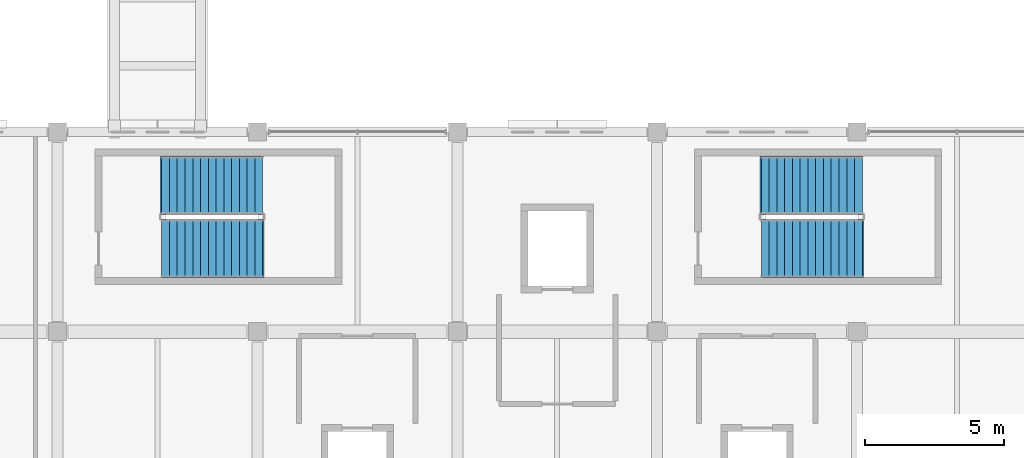
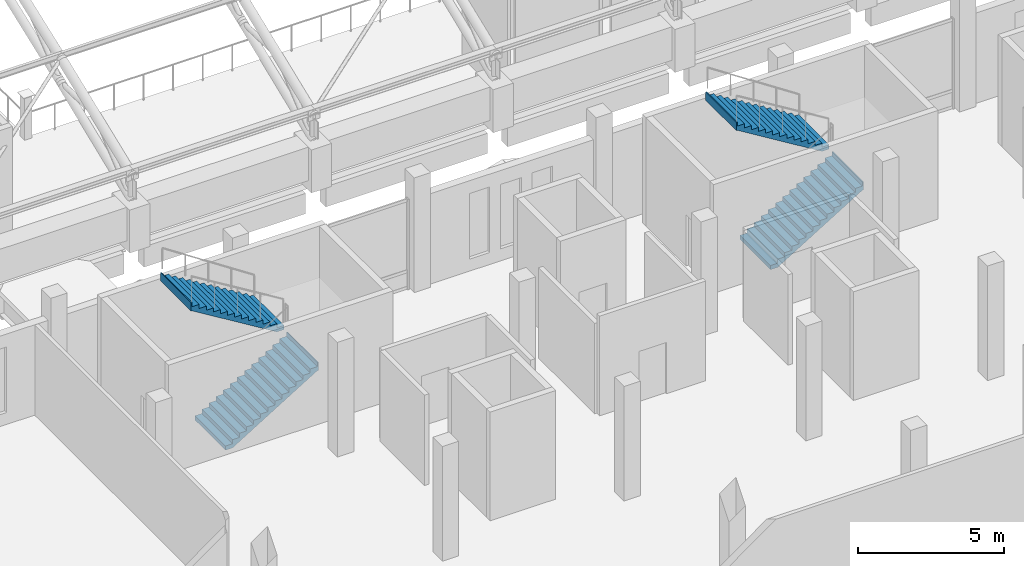
# One storey, part 101 of 116: 4 stair flights, 2 elements without a shape of their own.
"""IFC4 building model written with IfcOpenShell, lengths in metres."""

from ifc_helpers import new_model, si_unit, direction, frame, origin, place, context, subcontext, project, spatial, triangles, material, type_object, element, aggregate, save


model = new_model("IFC4")

# Units and contexts
model_context = context("Model", 3, precision=1e-05, world=origin(), true_north=direction((0.0, 1.0)))
body_context = subcontext(model_context, "Body", "Model", "MODEL_VIEW")
ifc_project = project(units=[si_unit("LENGTHUNIT", "METRE"), si_unit("AREAUNIT", "SQUARE_METRE"), si_unit("VOLUMEUNIT", "CUBIC_METRE"), si_unit("PLANEANGLEUNIT", "RADIAN"), si_unit("MASSUNIT", "GRAM", prefix="KILO")], contexts=[model_context])

# Site, building, storey
site_placement = place(None, origin())
site = spatial("IfcSite", under=ifc_project, at=site_placement, CompositionType="ELEMENT")
building_placement = place(site_placement, origin())
building = spatial("IfcBuilding", under=site, at=building_placement, Name="Cendralis Lancet Convention Centre", CompositionType="ELEMENT")
storey_placement = place(building_placement, frame((0.0, 0.0, 15.0)))
storey = spatial("IfcBuildingStorey", under=building, at=storey_placement, Name="L03", CompositionType="ELEMENT", Elevation=15.0)

# Stair, stair flights
ifc_material = material(Name="Concrete G35 (C35/45)", Category="concrete")
stair_type = type_object("IfcStairType", Name="ARC-ST-CORE", PredefinedType="HALF_TURN_STAIR", material=ifc_material)
stair_1_placement = place(storey_placement, origin())
stair_1 = element("IfcStair", 1, at=stair_1_placement, inside=storey, type_object=stair_type, Name="L03 Protected Exit Stair ST-13", PredefinedType="HALF_TURN_STAIR")
stair_flight_type = type_object("IfcStairFlightType", Name="ARC-SF-CORE", PredefinedType="STRAIGHT", material=ifc_material)
stair_flight_1_placement = place(storey_placement, frame((150.14990234375, 31.800048828125, 0.0), z_axis=(0.0, 0.0, 1.0), x_axis=(1.0, 0.0, 0.0)))
stair_flight_1 = element("IfcStairFlight", 2, at=stair_flight_1_placement, type_object=stair_flight_type, Name="ST-13 flight 1", NumberOfRisers=14, NumberOfTreads=13, PredefinedType="STRAIGHT", RiserHeight=0.171428571, TreadLength=0.28, context=body_context, shape_type="Tessellation", body=[
    triangles([(0.0, 0.0, 0.085714), (0.0, 1.050049, 0.0), (0.0, -1.050049, 0.0), (0.0, -1.050049, 0.171429), (0.0, 1.050049, 0.171429), (0.14, 0.0, 0.171429), (0.28, -1.050049, 0.171429), (0.28, 1.050049, 0.171429), (0.14, 0.0, 0.0), (0.28, -1.050049, 0.0), (0.28, 1.050049, 0.0), (0.28, 0.0, 0.257143), (0.28, -1.050049, 0.342857), (0.28, 1.050049, 0.342857), (0.283543, 0.0, 0.342857), (0.287085, -1.050049, 0.342857), (0.287085, 1.050049, 0.342857), (0.283543, 0.0, 0.0), (0.287085, -1.050049, 0.0), (0.287085, 1.050049, 0.0), (0.423543, 0.0, 0.342857), (0.56, -1.050049, 0.342857), (0.56, 1.050049, 0.342857), (0.423543, 0.0, 0.083545), (0.56, -1.050049, 0.167091), (0.56, 1.050049, 0.167091), (0.56, 0.0, 0.428572), (0.56, -1.050049, 0.514286), (0.56, 1.050049, 0.514286), (0.7, 0.0, 0.514286), (0.84, -1.050049, 0.514286), (0.84, 1.050049, 0.514286), (0.7, 0.0, 0.252806), (0.84, -1.050049, 0.33852), (0.84, 1.050049, 0.33852), (0.84, 0.0, 0.6), (0.84, -1.050049, 0.685714), (0.84, 1.050049, 0.685714), (0.98, 0.0, 0.685714), (1.12, -1.050049, 0.685714), (1.12, 1.050049, 0.685714), (0.98, 0.0, 0.424234), (1.12, -1.050049, 0.509948), (1.12, 1.050049, 0.509948), (1.12, 0.0, 0.771429), (1.12, -1.050049, 0.857143), (1.12, 1.050049, 0.857143), (1.26, 0.0, 0.857143), (1.4, -1.050049, 0.857143), (1.4, 1.050049, 0.857143), (1.26, 0.0, 0.595662), (1.4, -1.050049, 0.681377), (1.4, 1.050049, 0.681377), (1.4, 0.0, 0.942857), (1.4, -1.050049, 1.028571), (1.4, 1.050049, 1.028571), (1.54, 0.0, 1.028571), (1.68, -1.050049, 1.028571), (1.68, 1.050049, 1.028571), (1.54, 0.0, 0.767091), (1.68, -1.050049, 0.852805), (1.68, 1.050049, 0.852805), (1.68, 0.0, 1.114286), (1.68, -1.050049, 1.2), (1.68, 1.050049, 1.2), (1.82, 0.0, 1.2), (1.96, -1.050049, 1.2), (1.96, 1.050049, 1.2), (1.82, 0.0, 0.938519), (1.96, -1.050049, 1.024234), (1.96, 1.050049, 1.024234), (1.96, 0.0, 1.285715), (1.96, -1.050049, 1.371429), (1.96, 1.050049, 1.371429), (2.1, 0.0, 1.371429), (2.24, -1.050049, 1.371429), (2.24, 1.050049, 1.371429), (2.1, 0.0, 1.109948), (2.24, -1.050049, 1.195662), (2.24, 1.050049, 1.195662), (2.24, 0.0, 1.457143), (2.24, -1.050049, 1.542857), (2.24, 1.050049, 1.542857), (2.38, 0.0, 1.542857), (2.52, -1.050049, 1.542857), (2.52, 1.050049, 1.542857), (2.38, 0.0, 1.281376), (2.52, -1.050049, 1.367091), (2.52, 1.050049, 1.367091), (2.52, 0.0, 1.628572), (2.52, -1.050049, 1.714286), (2.52, 1.050049, 1.714286), (2.66, 0.0, 1.714286), (2.8, -1.050049, 1.714286), (2.8, 1.050049, 1.714286), (2.66, 0.0, 1.452806), (2.8, -1.050049, 1.53852), (2.8, 1.050049, 1.53852), (2.8, 0.0, 1.8), (2.8, -1.050049, 1.885714), (2.8, 1.050049, 1.885714), (2.94, 0.0, 1.885714), (3.08, -1.050049, 1.885714), (3.08, 1.050049, 1.885714), (2.94, 0.0, 1.624234), (3.08, -1.050049, 1.709948), (3.08, 1.050049, 1.709948), (3.08, 0.0, 1.971429), (3.08, -1.050049, 2.057143), (3.08, 1.050049, 2.057143), (3.22, 0.0, 2.057143), (3.36, -1.050049, 2.057143), (3.36, 1.050049, 2.057143), (3.22, 0.0, 1.795663), (3.36, -1.050049, 1.881377), (3.36, 1.050049, 1.881377), (3.36, 0.0, 2.142857), (3.36, -1.050049, 2.228571), (3.36, 1.050049, 2.228571), (3.5, 0.0, 2.228571), (3.64, -1.050049, 2.228571), (3.64, 1.050049, 2.228571), (3.5, 0.0, 1.967091), (3.64, -1.050049, 2.052805), (3.64, 1.050049, 2.052805), (3.64, 0.0, 2.314285), (3.64, -1.050049, 2.4), (3.64, 1.050049, 2.4), (3.66, 0.0, 2.4), (3.68, -1.050049, 2.4), (3.68, 1.050049, 2.4), (3.66, 0.0, 2.052805), (3.68, -1.050049, 2.052805), (3.68, 1.050049, 2.052805), (3.68, 0.0, 2.226403)], [[2, 3, 1], [3, 4, 1], [4, 5, 1], [5, 2, 1], [4, 7, 6], [7, 8, 6], [8, 5, 6], [5, 4, 6], [10, 3, 9], [3, 2, 9], [2, 11, 9], [11, 10, 9], [3, 10, 7], [3, 7, 4], [2, 8, 11], [2, 5, 8], [8, 7, 12], [7, 13, 12], [13, 14, 12], [14, 8, 12], [13, 16, 15], [16, 17, 15], [17, 14, 15], [14, 13, 15], [19, 10, 18], [10, 11, 18], [11, 20, 18], [20, 19, 18], [10, 19, 16], [10, 16, 7], [7, 16, 13], [11, 17, 20], [11, 8, 17], [8, 14, 17], [16, 22, 21], [22, 23, 21], [23, 17, 21], [17, 16, 21], [25, 19, 24], [19, 20, 24], [20, 26, 24], [26, 25, 24], [19, 25, 22], [19, 22, 16], [20, 23, 26], [20, 17, 23], [23, 22, 27], [22, 28, 27], [28, 29, 27], [29, 23, 27], [28, 31, 30], [31, 32, 30], [32, 29, 30], [29, 28, 30], [34, 25, 33], [25, 26, 33], [26, 35, 33], [35, 34, 33], [25, 34, 31], [25, 31, 22], [22, 31, 28], [26, 32, 35], [26, 23, 32], [23, 29, 32], [32, 31, 36], [31, 37, 36], [37, 38, 36], [38, 32, 36], [37, 40, 39], [40, 41, 39], [41, 38, 39], [38, 37, 39], [43, 34, 42], [34, 35, 42], [35, 44, 42], [44, 43, 42], [34, 43, 40], [34, 40, 31], [31, 40, 37], [35, 41, 44], [35, 32, 41], [32, 38, 41], [41, 40, 45], [40, 46, 45], [46, 47, 45], [47, 41, 45], [46, 49, 48], [49, 50, 48], [50, 47, 48], [47, 46, 48], [52, 43, 51], [43, 44, 51], [44, 53, 51], [53, 52, 51], [43, 52, 49], [43, 49, 40], [40, 49, 46], [44, 50, 53], [44, 41, 50], [41, 47, 50], [50, 49, 54], [49, 55, 54], [55, 56, 54], [56, 50, 54], [55, 58, 57], [58, 59, 57], [59, 56, 57], [56, 55, 57], [61, 52, 60], [52, 53, 60], [53, 62, 60], [62, 61, 60], [52, 61, 58], [52, 58, 49], [49, 58, 55], [53, 59, 62], [53, 50, 59], [50, 56, 59], [59, 58, 63], [58, 64, 63], [64, 65, 63], [65, 59, 63], [64, 67, 66], [67, 68, 66], [68, 65, 66], [65, 64, 66], [70, 61, 69], [61, 62, 69], [62, 71, 69], [71, 70, 69], [61, 70, 67], [61, 67, 58], [58, 67, 64], [62, 68, 71], [62, 59, 68], [59, 65, 68], [68, 67, 72], [67, 73, 72], [73, 74, 72], [74, 68, 72], [73, 76, 75], [76, 77, 75], [77, 74, 75], [74, 73, 75], [79, 70, 78], [70, 71, 78], [71, 80, 78], [80, 79, 78], [70, 79, 76], [70, 76, 67], [67, 76, 73], [71, 77, 80], [71, 68, 77], [68, 74, 77], [77, 76, 81], [76, 82, 81], [82, 83, 81], [83, 77, 81], [82, 85, 84], [85, 86, 84], [86, 83, 84], [83, 82, 84], [88, 79, 87], [79, 80, 87], [80, 89, 87], [89, 88, 87], [79, 88, 85], [79, 85, 76], [76, 85, 82], [80, 86, 89], [80, 77, 86], [77, 83, 86], [86, 85, 90], [85, 91, 90], [91, 92, 90], [92, 86, 90], [91, 94, 93], [94, 95, 93], [95, 92, 93], [92, 91, 93], [97, 88, 96], [88, 89, 96], [89, 98, 96], [98, 97, 96], [88, 97, 94], [88, 94, 85], [85, 94, 91], [89, 95, 98], [89, 86, 95], [86, 92, 95], [95, 94, 99], [94, 100, 99], [100, 101, 99], [101, 95, 99], [100, 103, 102], [103, 104, 102], [104, 101, 102], [101, 100, 102], [106, 97, 105], [97, 98, 105], [98, 107, 105], [107, 106, 105], [97, 106, 103], [97, 103, 94], [94, 103, 100], [98, 104, 107], [98, 95, 104], [95, 101, 104], [104, 103, 108], [103, 109, 108], [109, 110, 108], [110, 104, 108], [109, 112, 111], [112, 113, 111], [113, 110, 111], [110, 109, 111], [115, 106, 114], [106, 107, 114], [107, 116, 114], [116, 115, 114], [106, 115, 112], [106, 112, 103], [103, 112, 109], [107, 113, 116], [107, 104, 113], [104, 110, 113], [113, 112, 117], [112, 118, 117], [118, 119, 117], [119, 113, 117], [118, 121, 120], [121, 122, 120], [122, 119, 120], [119, 118, 120], [124, 115, 123], [115, 116, 123], [116, 125, 123], [125, 124, 123], [115, 124, 121], [115, 121, 112], [112, 121, 118], [116, 122, 125], [116, 113, 122], [113, 119, 122], [122, 121, 126], [121, 127, 126], [127, 128, 126], [128, 122, 126], [127, 130, 129], [130, 131, 129], [131, 128, 129], [128, 127, 129], [133, 124, 132], [124, 125, 132], [125, 134, 132], [134, 133, 132], [124, 133, 130], [124, 130, 121], [121, 130, 127], [125, 131, 134], [125, 122, 131], [122, 128, 131], [133, 134, 135], [134, 131, 135], [131, 130, 135], [130, 133, 135]], closed=True),
])
stair_flight_2_placement = place(storey_placement, frame((153.7900390625, 34.080078125, 2.39990234375), z_axis=(0.0, 0.0, 1.0), x_axis=(-1.0, 0.0, 0.0)))
stair_flight_2 = element("IfcStairFlight", 3, at=stair_flight_2_placement, type_object=stair_flight_type, Name="ST-13 flight 2", NumberOfRisers=14, NumberOfTreads=13, PredefinedType="STRAIGHT", RiserHeight=0.171428571, TreadLength=0.28, context=body_context, shape_type="Tessellation", body=[
    triangles([(0.0, 0.0, 0.085714), (0.0, 1.050049, 0.0), (0.0, -1.050049, 0.0), (0.0, -1.050049, 0.171429), (0.0, 1.050049, 0.171429), (0.14, 0.0, 0.171429), (0.28, -1.050049, 0.171429), (0.28, 1.050049, 0.171429), (0.14, 0.0, 0.0), (0.28, -1.050049, 0.0), (0.28, 1.050049, 0.0), (0.28, 0.0, 0.257143), (0.28, -1.050049, 0.342857), (0.28, 1.050049, 0.342857), (0.283543, 0.0, 0.342857), (0.287085, -1.050049, 0.342857), (0.287085, 1.050049, 0.342857), (0.283543, 0.0, 0.0), (0.287085, -1.050049, 0.0), (0.287085, 1.050049, 0.0), (0.423543, 0.0, 0.342857), (0.56, -1.050049, 0.342857), (0.56, 1.050049, 0.342857), (0.423543, 0.0, 0.083545), (0.56, -1.050049, 0.167091), (0.56, 1.050049, 0.167091), (0.56, 0.0, 0.428572), (0.56, -1.050049, 0.514286), (0.56, 1.050049, 0.514286), (0.7, 0.0, 0.514286), (0.84, -1.050049, 0.514286), (0.84, 1.050049, 0.514286), (0.7, 0.0, 0.252806), (0.84, -1.050049, 0.33852), (0.84, 1.050049, 0.33852), (0.84, 0.0, 0.6), (0.84, -1.050049, 0.685714), (0.84, 1.050049, 0.685714), (0.98, 0.0, 0.685714), (1.12, -1.050049, 0.685714), (1.12, 1.050049, 0.685714), (0.98, 0.0, 0.424234), (1.12, -1.050049, 0.509948), (1.12, 1.050049, 0.509948), (1.12, 0.0, 0.771429), (1.12, -1.050049, 0.857143), (1.12, 1.050049, 0.857143), (1.26, 0.0, 0.857143), (1.4, -1.050049, 0.857143), (1.4, 1.050049, 0.857143), (1.26, 0.0, 0.595662), (1.4, -1.050049, 0.681377), (1.4, 1.050049, 0.681377), (1.4, 0.0, 0.942857), (1.4, -1.050049, 1.028571), (1.4, 1.050049, 1.028571), (1.54, 0.0, 1.028571), (1.68, -1.050049, 1.028571), (1.68, 1.050049, 1.028571), (1.54, 0.0, 0.767091), (1.68, -1.050049, 0.852805), (1.68, 1.050049, 0.852805), (1.68, 0.0, 1.114286), (1.68, -1.050049, 1.2), (1.68, 1.050049, 1.2), (1.82, 0.0, 1.2), (1.96, -1.050049, 1.2), (1.96, 1.050049, 1.2), (1.82, 0.0, 0.938519), (1.96, -1.050049, 1.024234), (1.96, 1.050049, 1.024234), (1.96, 0.0, 1.285715), (1.96, -1.050049, 1.371429), (1.96, 1.050049, 1.371429), (2.1, 0.0, 1.371429), (2.24, -1.050049, 1.371429), (2.24, 1.050049, 1.371429), (2.1, 0.0, 1.109948), (2.24, -1.050049, 1.195662), (2.24, 1.050049, 1.195662), (2.24, 0.0, 1.457143), (2.24, -1.050049, 1.542857), (2.24, 1.050049, 1.542857), (2.38, 0.0, 1.542857), (2.52, -1.050049, 1.542857), (2.52, 1.050049, 1.542857), (2.38, 0.0, 1.281376), (2.52, -1.050049, 1.367091), (2.52, 1.050049, 1.367091), (2.52, 0.0, 1.628572), (2.52, -1.050049, 1.714286), (2.52, 1.050049, 1.714286), (2.66, 0.0, 1.714286), (2.8, -1.050049, 1.714286), (2.8, 1.050049, 1.714286), (2.66, 0.0, 1.452806), (2.8, -1.050049, 1.53852), (2.8, 1.050049, 1.53852), (2.8, 0.0, 1.8), (2.8, -1.050049, 1.885714), (2.8, 1.050049, 1.885714), (2.94, 0.0, 1.885714), (3.08, -1.050049, 1.885714), (3.08, 1.050049, 1.885714), (2.94, 0.0, 1.624234), (3.08, -1.050049, 1.709948), (3.08, 1.050049, 1.709948), (3.08, 0.0, 1.971429), (3.08, -1.050049, 2.057143), (3.08, 1.050049, 2.057143), (3.22, 0.0, 2.057143), (3.36, -1.050049, 2.057143), (3.36, 1.050049, 2.057143), (3.22, 0.0, 1.795663), (3.36, -1.050049, 1.881377), (3.36, 1.050049, 1.881377), (3.36, 0.0, 2.142857), (3.36, -1.050049, 2.228571), (3.36, 1.050049, 2.228571), (3.5, 0.0, 2.228571), (3.64, -1.050049, 2.228571), (3.64, 1.050049, 2.228571), (3.5, 0.0, 1.967091), (3.64, -1.050049, 2.052805), (3.64, 1.050049, 2.052805), (3.64, 0.0, 2.314285), (3.64, -1.050049, 2.4), (3.64, 1.050049, 2.4), (3.66, 0.0, 2.4), (3.68, -1.050049, 2.4), (3.68, 1.050049, 2.4), (3.66, 0.0, 2.052805), (3.68, -1.050049, 2.052805), (3.68, 1.050049, 2.052805), (3.68, 0.0, 2.226403)], [[2, 3, 1], [3, 4, 1], [4, 5, 1], [5, 2, 1], [4, 7, 6], [7, 8, 6], [8, 5, 6], [5, 4, 6], [10, 3, 9], [3, 2, 9], [2, 11, 9], [11, 10, 9], [3, 10, 7], [3, 7, 4], [2, 8, 11], [2, 5, 8], [8, 7, 12], [7, 13, 12], [13, 14, 12], [14, 8, 12], [13, 16, 15], [16, 17, 15], [17, 14, 15], [14, 13, 15], [19, 10, 18], [10, 11, 18], [11, 20, 18], [20, 19, 18], [10, 19, 16], [10, 16, 7], [7, 16, 13], [11, 17, 20], [11, 8, 17], [8, 14, 17], [16, 22, 21], [22, 23, 21], [23, 17, 21], [17, 16, 21], [25, 19, 24], [19, 20, 24], [20, 26, 24], [26, 25, 24], [19, 25, 22], [19, 22, 16], [20, 23, 26], [20, 17, 23], [23, 22, 27], [22, 28, 27], [28, 29, 27], [29, 23, 27], [28, 31, 30], [31, 32, 30], [32, 29, 30], [29, 28, 30], [34, 25, 33], [25, 26, 33], [26, 35, 33], [35, 34, 33], [25, 34, 31], [25, 31, 22], [22, 31, 28], [26, 32, 35], [26, 23, 32], [23, 29, 32], [32, 31, 36], [31, 37, 36], [37, 38, 36], [38, 32, 36], [37, 40, 39], [40, 41, 39], [41, 38, 39], [38, 37, 39], [43, 34, 42], [34, 35, 42], [35, 44, 42], [44, 43, 42], [34, 43, 40], [34, 40, 31], [31, 40, 37], [35, 41, 44], [35, 32, 41], [32, 38, 41], [41, 40, 45], [40, 46, 45], [46, 47, 45], [47, 41, 45], [46, 49, 48], [49, 50, 48], [50, 47, 48], [47, 46, 48], [52, 43, 51], [43, 44, 51], [44, 53, 51], [53, 52, 51], [43, 52, 49], [43, 49, 40], [40, 49, 46], [44, 50, 53], [44, 41, 50], [41, 47, 50], [50, 49, 54], [49, 55, 54], [55, 56, 54], [56, 50, 54], [55, 58, 57], [58, 59, 57], [59, 56, 57], [56, 55, 57], [61, 52, 60], [52, 53, 60], [53, 62, 60], [62, 61, 60], [52, 61, 58], [52, 58, 49], [49, 58, 55], [53, 59, 62], [53, 50, 59], [50, 56, 59], [59, 58, 63], [58, 64, 63], [64, 65, 63], [65, 59, 63], [64, 67, 66], [67, 68, 66], [68, 65, 66], [65, 64, 66], [70, 61, 69], [61, 62, 69], [62, 71, 69], [71, 70, 69], [61, 70, 67], [61, 67, 58], [58, 67, 64], [62, 68, 71], [62, 59, 68], [59, 65, 68], [68, 67, 72], [67, 73, 72], [73, 74, 72], [74, 68, 72], [73, 76, 75], [76, 77, 75], [77, 74, 75], [74, 73, 75], [79, 70, 78], [70, 71, 78], [71, 80, 78], [80, 79, 78], [70, 79, 76], [70, 76, 67], [67, 76, 73], [71, 77, 80], [71, 68, 77], [68, 74, 77], [77, 76, 81], [76, 82, 81], [82, 83, 81], [83, 77, 81], [82, 85, 84], [85, 86, 84], [86, 83, 84], [83, 82, 84], [88, 79, 87], [79, 80, 87], [80, 89, 87], [89, 88, 87], [79, 88, 85], [79, 85, 76], [76, 85, 82], [80, 86, 89], [80, 77, 86], [77, 83, 86], [86, 85, 90], [85, 91, 90], [91, 92, 90], [92, 86, 90], [91, 94, 93], [94, 95, 93], [95, 92, 93], [92, 91, 93], [97, 88, 96], [88, 89, 96], [89, 98, 96], [98, 97, 96], [88, 97, 94], [88, 94, 85], [85, 94, 91], [89, 95, 98], [89, 86, 95], [86, 92, 95], [95, 94, 99], [94, 100, 99], [100, 101, 99], [101, 95, 99], [100, 103, 102], [103, 104, 102], [104, 101, 102], [101, 100, 102], [106, 97, 105], [97, 98, 105], [98, 107, 105], [107, 106, 105], [97, 106, 103], [97, 103, 94], [94, 103, 100], [98, 104, 107], [98, 95, 104], [95, 101, 104], [104, 103, 108], [103, 109, 108], [109, 110, 108], [110, 104, 108], [109, 112, 111], [112, 113, 111], [113, 110, 111], [110, 109, 111], [115, 106, 114], [106, 107, 114], [107, 116, 114], [116, 115, 114], [106, 115, 112], [106, 112, 103], [103, 112, 109], [107, 113, 116], [107, 104, 113], [104, 110, 113], [113, 112, 117], [112, 118, 117], [118, 119, 117], [119, 113, 117], [118, 121, 120], [121, 122, 120], [122, 119, 120], [119, 118, 120], [124, 115, 123], [115, 116, 123], [116, 125, 123], [125, 124, 123], [115, 124, 121], [115, 121, 112], [112, 121, 118], [116, 122, 125], [116, 113, 122], [113, 119, 122], [122, 121, 126], [121, 127, 126], [127, 128, 126], [128, 122, 126], [127, 130, 129], [130, 131, 129], [131, 128, 129], [128, 127, 129], [133, 124, 132], [124, 125, 132], [125, 134, 132], [134, 133, 132], [124, 133, 130], [124, 130, 121], [121, 130, 127], [125, 131, 134], [125, 122, 131], [122, 128, 131], [133, 134, 135], [134, 131, 135], [131, 130, 135], [130, 133, 135]], closed=True),
])
aggregate(stair_1, [stair_flight_1, stair_flight_2])

stair_2_placement = place(storey_placement, origin())
stair_2 = element("IfcStair", 4, at=stair_2_placement, inside=storey, type_object=stair_type, Name="L03 Protected Exit Stair ST-14", PredefinedType="HALF_TURN_STAIR")
stair_flight_3_placement = place(storey_placement, frame((171.75, 31.800048828125, 0.0), z_axis=(0.0, 0.0, 1.0), x_axis=(1.0, 0.0, 0.0)))
stair_flight_3 = element("IfcStairFlight", 5, at=stair_flight_3_placement, type_object=stair_flight_type, Name="ST-14 flight 1", NumberOfRisers=14, NumberOfTreads=13, PredefinedType="STRAIGHT", RiserHeight=0.171428571, TreadLength=0.28, context=body_context, shape_type="Tessellation", body=[
    triangles([(0.0, 0.0, 0.085714), (0.0, 1.050049, 0.0), (0.0, -1.050049, 0.0), (0.0, -1.050049, 0.171429), (0.0, 1.050049, 0.171429), (0.14, 0.0, 0.171429), (0.28, -1.050049, 0.171429), (0.28, 1.050049, 0.171429), (0.14, 0.0, 0.0), (0.28, -1.050049, 0.0), (0.28, 1.050049, 0.0), (0.28, 0.0, 0.257143), (0.28, -1.050049, 0.342857), (0.28, 1.050049, 0.342857), (0.283543, 0.0, 0.342857), (0.287085, -1.050049, 0.342857), (0.287085, 1.050049, 0.342857), (0.283543, 0.0, 0.0), (0.287085, -1.050049, 0.0), (0.287085, 1.050049, 0.0), (0.423543, 0.0, 0.342857), (0.56, -1.050049, 0.342857), (0.56, 1.050049, 0.342857), (0.423543, 0.0, 0.083545), (0.56, -1.050049, 0.167091), (0.56, 1.050049, 0.167091), (0.56, 0.0, 0.428572), (0.56, -1.050049, 0.514286), (0.56, 1.050049, 0.514286), (0.7, 0.0, 0.514286), (0.84, -1.050049, 0.514286), (0.84, 1.050049, 0.514286), (0.7, 0.0, 0.252806), (0.84, -1.050049, 0.33852), (0.84, 1.050049, 0.33852), (0.84, 0.0, 0.6), (0.84, -1.050049, 0.685714), (0.84, 1.050049, 0.685714), (0.98, 0.0, 0.685714), (1.12, -1.050049, 0.685714), (1.12, 1.050049, 0.685714), (0.98, 0.0, 0.424234), (1.12, -1.050049, 0.509948), (1.12, 1.050049, 0.509948), (1.12, 0.0, 0.771429), (1.12, -1.050049, 0.857143), (1.12, 1.050049, 0.857143), (1.26, 0.0, 0.857143), (1.4, -1.050049, 0.857143), (1.4, 1.050049, 0.857143), (1.26, 0.0, 0.595662), (1.4, -1.050049, 0.681377), (1.4, 1.050049, 0.681377), (1.4, 0.0, 0.942857), (1.4, -1.050049, 1.028571), (1.4, 1.050049, 1.028571), (1.54, 0.0, 1.028571), (1.68, -1.050049, 1.028571), (1.68, 1.050049, 1.028571), (1.54, 0.0, 0.767091), (1.68, -1.050049, 0.852805), (1.68, 1.050049, 0.852805), (1.68, 0.0, 1.114286), (1.68, -1.050049, 1.2), (1.68, 1.050049, 1.2), (1.82, 0.0, 1.2), (1.96, -1.050049, 1.2), (1.96, 1.050049, 1.2), (1.82, 0.0, 0.938519), (1.96, -1.050049, 1.024234), (1.96, 1.050049, 1.024234), (1.96, 0.0, 1.285715), (1.96, -1.050049, 1.371429), (1.96, 1.050049, 1.371429), (2.1, 0.0, 1.371429), (2.24, -1.050049, 1.371429), (2.24, 1.050049, 1.371429), (2.1, 0.0, 1.109948), (2.24, -1.050049, 1.195662), (2.24, 1.050049, 1.195662), (2.24, 0.0, 1.457143), (2.24, -1.050049, 1.542857), (2.24, 1.050049, 1.542857), (2.38, 0.0, 1.542857), (2.52, -1.050049, 1.542857), (2.52, 1.050049, 1.542857), (2.38, 0.0, 1.281376), (2.52, -1.050049, 1.367091), (2.52, 1.050049, 1.367091), (2.52, 0.0, 1.628572), (2.52, -1.050049, 1.714286), (2.52, 1.050049, 1.714286), (2.66, 0.0, 1.714286), (2.8, -1.050049, 1.714286), (2.8, 1.050049, 1.714286), (2.66, 0.0, 1.452806), (2.8, -1.050049, 1.53852), (2.8, 1.050049, 1.53852), (2.8, 0.0, 1.8), (2.8, -1.050049, 1.885714), (2.8, 1.050049, 1.885714), (2.94, 0.0, 1.885714), (3.08, -1.050049, 1.885714), (3.08, 1.050049, 1.885714), (2.94, 0.0, 1.624234), (3.08, -1.050049, 1.709948), (3.08, 1.050049, 1.709948), (3.08, 0.0, 1.971429), (3.08, -1.050049, 2.057143), (3.08, 1.050049, 2.057143), (3.22, 0.0, 2.057143), (3.36, -1.050049, 2.057143), (3.36, 1.050049, 2.057143), (3.22, 0.0, 1.795663), (3.36, -1.050049, 1.881377), (3.36, 1.050049, 1.881377), (3.36, 0.0, 2.142857), (3.36, -1.050049, 2.228571), (3.36, 1.050049, 2.228571), (3.5, 0.0, 2.228571), (3.64, -1.050049, 2.228571), (3.64, 1.050049, 2.228571), (3.5, 0.0, 1.967091), (3.64, -1.050049, 2.052805), (3.64, 1.050049, 2.052805), (3.64, 0.0, 2.314285), (3.64, -1.050049, 2.4), (3.64, 1.050049, 2.4), (3.66, 0.0, 2.4), (3.68, -1.050049, 2.4), (3.68, 1.050049, 2.4), (3.66, 0.0, 2.052805), (3.68, -1.050049, 2.052805), (3.68, 1.050049, 2.052805), (3.68, 0.0, 2.226403)], [[2, 3, 1], [3, 4, 1], [4, 5, 1], [5, 2, 1], [4, 7, 6], [7, 8, 6], [8, 5, 6], [5, 4, 6], [10, 3, 9], [3, 2, 9], [2, 11, 9], [11, 10, 9], [3, 10, 7], [3, 7, 4], [2, 8, 11], [2, 5, 8], [8, 7, 12], [7, 13, 12], [13, 14, 12], [14, 8, 12], [13, 16, 15], [16, 17, 15], [17, 14, 15], [14, 13, 15], [19, 10, 18], [10, 11, 18], [11, 20, 18], [20, 19, 18], [10, 19, 16], [10, 16, 7], [7, 16, 13], [11, 17, 20], [11, 8, 17], [8, 14, 17], [16, 22, 21], [22, 23, 21], [23, 17, 21], [17, 16, 21], [25, 19, 24], [19, 20, 24], [20, 26, 24], [26, 25, 24], [19, 25, 22], [19, 22, 16], [20, 23, 26], [20, 17, 23], [23, 22, 27], [22, 28, 27], [28, 29, 27], [29, 23, 27], [28, 31, 30], [31, 32, 30], [32, 29, 30], [29, 28, 30], [34, 25, 33], [25, 26, 33], [26, 35, 33], [35, 34, 33], [25, 34, 31], [25, 31, 22], [22, 31, 28], [26, 32, 35], [26, 23, 32], [23, 29, 32], [32, 31, 36], [31, 37, 36], [37, 38, 36], [38, 32, 36], [37, 40, 39], [40, 41, 39], [41, 38, 39], [38, 37, 39], [43, 34, 42], [34, 35, 42], [35, 44, 42], [44, 43, 42], [34, 43, 40], [34, 40, 31], [31, 40, 37], [35, 41, 44], [35, 32, 41], [32, 38, 41], [41, 40, 45], [40, 46, 45], [46, 47, 45], [47, 41, 45], [46, 49, 48], [49, 50, 48], [50, 47, 48], [47, 46, 48], [52, 43, 51], [43, 44, 51], [44, 53, 51], [53, 52, 51], [43, 52, 49], [43, 49, 40], [40, 49, 46], [44, 50, 53], [44, 41, 50], [41, 47, 50], [50, 49, 54], [49, 55, 54], [55, 56, 54], [56, 50, 54], [55, 58, 57], [58, 59, 57], [59, 56, 57], [56, 55, 57], [61, 52, 60], [52, 53, 60], [53, 62, 60], [62, 61, 60], [52, 61, 58], [52, 58, 49], [49, 58, 55], [53, 59, 62], [53, 50, 59], [50, 56, 59], [59, 58, 63], [58, 64, 63], [64, 65, 63], [65, 59, 63], [64, 67, 66], [67, 68, 66], [68, 65, 66], [65, 64, 66], [70, 61, 69], [61, 62, 69], [62, 71, 69], [71, 70, 69], [61, 70, 67], [61, 67, 58], [58, 67, 64], [62, 68, 71], [62, 59, 68], [59, 65, 68], [68, 67, 72], [67, 73, 72], [73, 74, 72], [74, 68, 72], [73, 76, 75], [76, 77, 75], [77, 74, 75], [74, 73, 75], [79, 70, 78], [70, 71, 78], [71, 80, 78], [80, 79, 78], [70, 79, 76], [70, 76, 67], [67, 76, 73], [71, 77, 80], [71, 68, 77], [68, 74, 77], [77, 76, 81], [76, 82, 81], [82, 83, 81], [83, 77, 81], [82, 85, 84], [85, 86, 84], [86, 83, 84], [83, 82, 84], [88, 79, 87], [79, 80, 87], [80, 89, 87], [89, 88, 87], [79, 88, 85], [79, 85, 76], [76, 85, 82], [80, 86, 89], [80, 77, 86], [77, 83, 86], [86, 85, 90], [85, 91, 90], [91, 92, 90], [92, 86, 90], [91, 94, 93], [94, 95, 93], [95, 92, 93], [92, 91, 93], [97, 88, 96], [88, 89, 96], [89, 98, 96], [98, 97, 96], [88, 97, 94], [88, 94, 85], [85, 94, 91], [89, 95, 98], [89, 86, 95], [86, 92, 95], [95, 94, 99], [94, 100, 99], [100, 101, 99], [101, 95, 99], [100, 103, 102], [103, 104, 102], [104, 101, 102], [101, 100, 102], [106, 97, 105], [97, 98, 105], [98, 107, 105], [107, 106, 105], [97, 106, 103], [97, 103, 94], [94, 103, 100], [98, 104, 107], [98, 95, 104], [95, 101, 104], [104, 103, 108], [103, 109, 108], [109, 110, 108], [110, 104, 108], [109, 112, 111], [112, 113, 111], [113, 110, 111], [110, 109, 111], [115, 106, 114], [106, 107, 114], [107, 116, 114], [116, 115, 114], [106, 115, 112], [106, 112, 103], [103, 112, 109], [107, 113, 116], [107, 104, 113], [104, 110, 113], [113, 112, 117], [112, 118, 117], [118, 119, 117], [119, 113, 117], [118, 121, 120], [121, 122, 120], [122, 119, 120], [119, 118, 120], [124, 115, 123], [115, 116, 123], [116, 125, 123], [125, 124, 123], [115, 124, 121], [115, 121, 112], [112, 121, 118], [116, 122, 125], [116, 113, 122], [113, 119, 122], [122, 121, 126], [121, 127, 126], [127, 128, 126], [128, 122, 126], [127, 130, 129], [130, 131, 129], [131, 128, 129], [128, 127, 129], [133, 124, 132], [124, 125, 132], [125, 134, 132], [134, 133, 132], [124, 133, 130], [124, 130, 121], [121, 130, 127], [125, 131, 134], [125, 122, 131], [122, 128, 131], [133, 134, 135], [134, 131, 135], [131, 130, 135], [130, 133, 135]], closed=True),
])
stair_flight_4_placement = place(storey_placement, frame((175.389892578125, 34.080078125, 2.39990234375), z_axis=(0.0, 0.0, 1.0), x_axis=(-1.0, 0.0, 0.0)))
stair_flight_4 = element("IfcStairFlight", 6, at=stair_flight_4_placement, type_object=stair_flight_type, Name="ST-14 flight 2", NumberOfRisers=14, NumberOfTreads=13, PredefinedType="STRAIGHT", RiserHeight=0.171428571, TreadLength=0.28, context=body_context, shape_type="Tessellation", body=[
    triangles([(0.0, 0.0, 0.085714), (0.0, 1.050049, 0.0), (0.0, -1.050049, 0.0), (0.0, -1.050049, 0.171429), (0.0, 1.050049, 0.171429), (0.14, 0.0, 0.171429), (0.28, -1.050049, 0.171429), (0.28, 1.050049, 0.171429), (0.14, 0.0, 0.0), (0.28, -1.050049, 0.0), (0.28, 1.050049, 0.0), (0.28, 0.0, 0.257143), (0.28, -1.050049, 0.342857), (0.28, 1.050049, 0.342857), (0.283543, 0.0, 0.342857), (0.287085, -1.050049, 0.342857), (0.287085, 1.050049, 0.342857), (0.283543, 0.0, 0.0), (0.287085, -1.050049, 0.0), (0.287085, 1.050049, 0.0), (0.423543, 0.0, 0.342857), (0.56, -1.050049, 0.342857), (0.56, 1.050049, 0.342857), (0.423543, 0.0, 0.083545), (0.56, -1.050049, 0.167091), (0.56, 1.050049, 0.167091), (0.56, 0.0, 0.428572), (0.56, -1.050049, 0.514286), (0.56, 1.050049, 0.514286), (0.7, 0.0, 0.514286), (0.84, -1.050049, 0.514286), (0.84, 1.050049, 0.514286), (0.7, 0.0, 0.252806), (0.84, -1.050049, 0.33852), (0.84, 1.050049, 0.33852), (0.84, 0.0, 0.6), (0.84, -1.050049, 0.685714), (0.84, 1.050049, 0.685714), (0.98, 0.0, 0.685714), (1.12, -1.050049, 0.685714), (1.12, 1.050049, 0.685714), (0.98, 0.0, 0.424234), (1.12, -1.050049, 0.509948), (1.12, 1.050049, 0.509948), (1.12, 0.0, 0.771429), (1.12, -1.050049, 0.857143), (1.12, 1.050049, 0.857143), (1.26, 0.0, 0.857143), (1.4, -1.050049, 0.857143), (1.4, 1.050049, 0.857143), (1.26, 0.0, 0.595662), (1.4, -1.050049, 0.681377), (1.4, 1.050049, 0.681377), (1.4, 0.0, 0.942857), (1.4, -1.050049, 1.028571), (1.4, 1.050049, 1.028571), (1.54, 0.0, 1.028571), (1.68, -1.050049, 1.028571), (1.68, 1.050049, 1.028571), (1.54, 0.0, 0.767091), (1.68, -1.050049, 0.852805), (1.68, 1.050049, 0.852805), (1.68, 0.0, 1.114286), (1.68, -1.050049, 1.2), (1.68, 1.050049, 1.2), (1.82, 0.0, 1.2), (1.96, -1.050049, 1.2), (1.96, 1.050049, 1.2), (1.82, 0.0, 0.938519), (1.96, -1.050049, 1.024234), (1.96, 1.050049, 1.024234), (1.96, 0.0, 1.285715), (1.96, -1.050049, 1.371429), (1.96, 1.050049, 1.371429), (2.1, 0.0, 1.371429), (2.24, -1.050049, 1.371429), (2.24, 1.050049, 1.371429), (2.1, 0.0, 1.109948), (2.24, -1.050049, 1.195662), (2.24, 1.050049, 1.195662), (2.24, 0.0, 1.457143), (2.24, -1.050049, 1.542857), (2.24, 1.050049, 1.542857), (2.38, 0.0, 1.542857), (2.52, -1.050049, 1.542857), (2.52, 1.050049, 1.542857), (2.38, 0.0, 1.281376), (2.52, -1.050049, 1.367091), (2.52, 1.050049, 1.367091), (2.52, 0.0, 1.628572), (2.52, -1.050049, 1.714286), (2.52, 1.050049, 1.714286), (2.66, 0.0, 1.714286), (2.8, -1.050049, 1.714286), (2.8, 1.050049, 1.714286), (2.66, 0.0, 1.452806), (2.8, -1.050049, 1.53852), (2.8, 1.050049, 1.53852), (2.8, 0.0, 1.8), (2.8, -1.050049, 1.885714), (2.8, 1.050049, 1.885714), (2.94, 0.0, 1.885714), (3.08, -1.050049, 1.885714), (3.08, 1.050049, 1.885714), (2.94, 0.0, 1.624234), (3.08, -1.050049, 1.709948), (3.08, 1.050049, 1.709948), (3.08, 0.0, 1.971429), (3.08, -1.050049, 2.057143), (3.08, 1.050049, 2.057143), (3.22, 0.0, 2.057143), (3.36, -1.050049, 2.057143), (3.36, 1.050049, 2.057143), (3.22, 0.0, 1.795663), (3.36, -1.050049, 1.881377), (3.36, 1.050049, 1.881377), (3.36, 0.0, 2.142857), (3.36, -1.050049, 2.228571), (3.36, 1.050049, 2.228571), (3.5, 0.0, 2.228571), (3.64, -1.050049, 2.228571), (3.64, 1.050049, 2.228571), (3.5, 0.0, 1.967091), (3.64, -1.050049, 2.052805), (3.64, 1.050049, 2.052805), (3.64, 0.0, 2.314285), (3.64, -1.050049, 2.4), (3.64, 1.050049, 2.4), (3.66, 0.0, 2.4), (3.68, -1.050049, 2.4), (3.68, 1.050049, 2.4), (3.66, 0.0, 2.052805), (3.68, -1.050049, 2.052805), (3.68, 1.050049, 2.052805), (3.68, 0.0, 2.226403)], [[2, 3, 1], [3, 4, 1], [4, 5, 1], [5, 2, 1], [4, 7, 6], [7, 8, 6], [8, 5, 6], [5, 4, 6], [10, 3, 9], [3, 2, 9], [2, 11, 9], [11, 10, 9], [3, 10, 7], [3, 7, 4], [2, 8, 11], [2, 5, 8], [8, 7, 12], [7, 13, 12], [13, 14, 12], [14, 8, 12], [13, 16, 15], [16, 17, 15], [17, 14, 15], [14, 13, 15], [19, 10, 18], [10, 11, 18], [11, 20, 18], [20, 19, 18], [10, 19, 16], [10, 16, 7], [7, 16, 13], [11, 17, 20], [11, 8, 17], [8, 14, 17], [16, 22, 21], [22, 23, 21], [23, 17, 21], [17, 16, 21], [25, 19, 24], [19, 20, 24], [20, 26, 24], [26, 25, 24], [19, 25, 22], [19, 22, 16], [20, 23, 26], [20, 17, 23], [23, 22, 27], [22, 28, 27], [28, 29, 27], [29, 23, 27], [28, 31, 30], [31, 32, 30], [32, 29, 30], [29, 28, 30], [34, 25, 33], [25, 26, 33], [26, 35, 33], [35, 34, 33], [25, 34, 31], [25, 31, 22], [22, 31, 28], [26, 32, 35], [26, 23, 32], [23, 29, 32], [32, 31, 36], [31, 37, 36], [37, 38, 36], [38, 32, 36], [37, 40, 39], [40, 41, 39], [41, 38, 39], [38, 37, 39], [43, 34, 42], [34, 35, 42], [35, 44, 42], [44, 43, 42], [34, 43, 40], [34, 40, 31], [31, 40, 37], [35, 41, 44], [35, 32, 41], [32, 38, 41], [41, 40, 45], [40, 46, 45], [46, 47, 45], [47, 41, 45], [46, 49, 48], [49, 50, 48], [50, 47, 48], [47, 46, 48], [52, 43, 51], [43, 44, 51], [44, 53, 51], [53, 52, 51], [43, 52, 49], [43, 49, 40], [40, 49, 46], [44, 50, 53], [44, 41, 50], [41, 47, 50], [50, 49, 54], [49, 55, 54], [55, 56, 54], [56, 50, 54], [55, 58, 57], [58, 59, 57], [59, 56, 57], [56, 55, 57], [61, 52, 60], [52, 53, 60], [53, 62, 60], [62, 61, 60], [52, 61, 58], [52, 58, 49], [49, 58, 55], [53, 59, 62], [53, 50, 59], [50, 56, 59], [59, 58, 63], [58, 64, 63], [64, 65, 63], [65, 59, 63], [64, 67, 66], [67, 68, 66], [68, 65, 66], [65, 64, 66], [70, 61, 69], [61, 62, 69], [62, 71, 69], [71, 70, 69], [61, 70, 67], [61, 67, 58], [58, 67, 64], [62, 68, 71], [62, 59, 68], [59, 65, 68], [68, 67, 72], [67, 73, 72], [73, 74, 72], [74, 68, 72], [73, 76, 75], [76, 77, 75], [77, 74, 75], [74, 73, 75], [79, 70, 78], [70, 71, 78], [71, 80, 78], [80, 79, 78], [70, 79, 76], [70, 76, 67], [67, 76, 73], [71, 77, 80], [71, 68, 77], [68, 74, 77], [77, 76, 81], [76, 82, 81], [82, 83, 81], [83, 77, 81], [82, 85, 84], [85, 86, 84], [86, 83, 84], [83, 82, 84], [88, 79, 87], [79, 80, 87], [80, 89, 87], [89, 88, 87], [79, 88, 85], [79, 85, 76], [76, 85, 82], [80, 86, 89], [80, 77, 86], [77, 83, 86], [86, 85, 90], [85, 91, 90], [91, 92, 90], [92, 86, 90], [91, 94, 93], [94, 95, 93], [95, 92, 93], [92, 91, 93], [97, 88, 96], [88, 89, 96], [89, 98, 96], [98, 97, 96], [88, 97, 94], [88, 94, 85], [85, 94, 91], [89, 95, 98], [89, 86, 95], [86, 92, 95], [95, 94, 99], [94, 100, 99], [100, 101, 99], [101, 95, 99], [100, 103, 102], [103, 104, 102], [104, 101, 102], [101, 100, 102], [106, 97, 105], [97, 98, 105], [98, 107, 105], [107, 106, 105], [97, 106, 103], [97, 103, 94], [94, 103, 100], [98, 104, 107], [98, 95, 104], [95, 101, 104], [104, 103, 108], [103, 109, 108], [109, 110, 108], [110, 104, 108], [109, 112, 111], [112, 113, 111], [113, 110, 111], [110, 109, 111], [115, 106, 114], [106, 107, 114], [107, 116, 114], [116, 115, 114], [106, 115, 112], [106, 112, 103], [103, 112, 109], [107, 113, 116], [107, 104, 113], [104, 110, 113], [113, 112, 117], [112, 118, 117], [118, 119, 117], [119, 113, 117], [118, 121, 120], [121, 122, 120], [122, 119, 120], [119, 118, 120], [124, 115, 123], [115, 116, 123], [116, 125, 123], [125, 124, 123], [115, 124, 121], [115, 121, 112], [112, 121, 118], [116, 122, 125], [116, 113, 122], [113, 119, 122], [122, 121, 126], [121, 127, 126], [127, 128, 126], [128, 122, 126], [127, 130, 129], [130, 131, 129], [131, 128, 129], [128, 127, 129], [133, 124, 132], [124, 125, 132], [125, 134, 132], [134, 133, 132], [124, 133, 130], [124, 130, 121], [121, 130, 127], [125, 131, 134], [125, 122, 131], [122, 128, 131], [133, 134, 135], [134, 131, 135], [131, 130, 135], [130, 133, 135]], closed=True),
])
aggregate(stair_2, [stair_flight_3, stair_flight_4])

save(model, "model.ifc")
